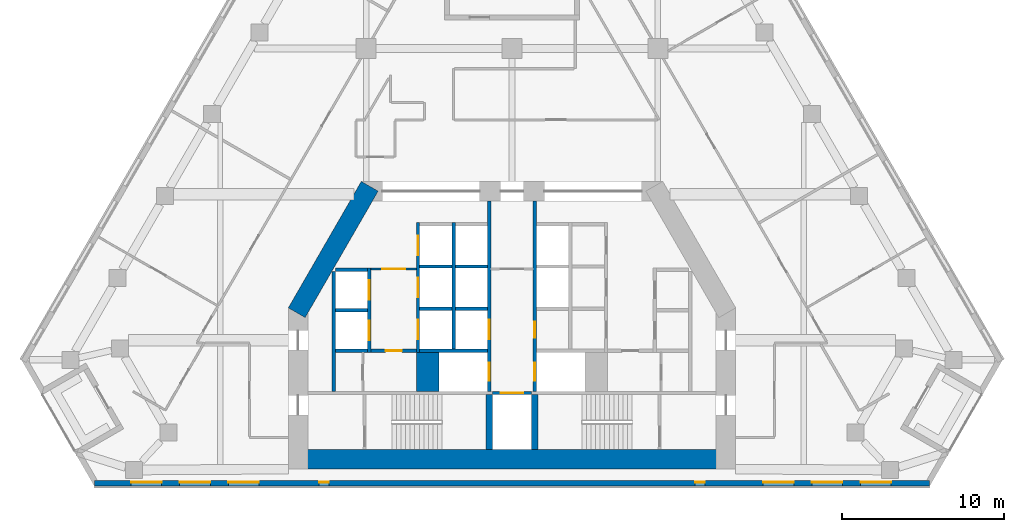
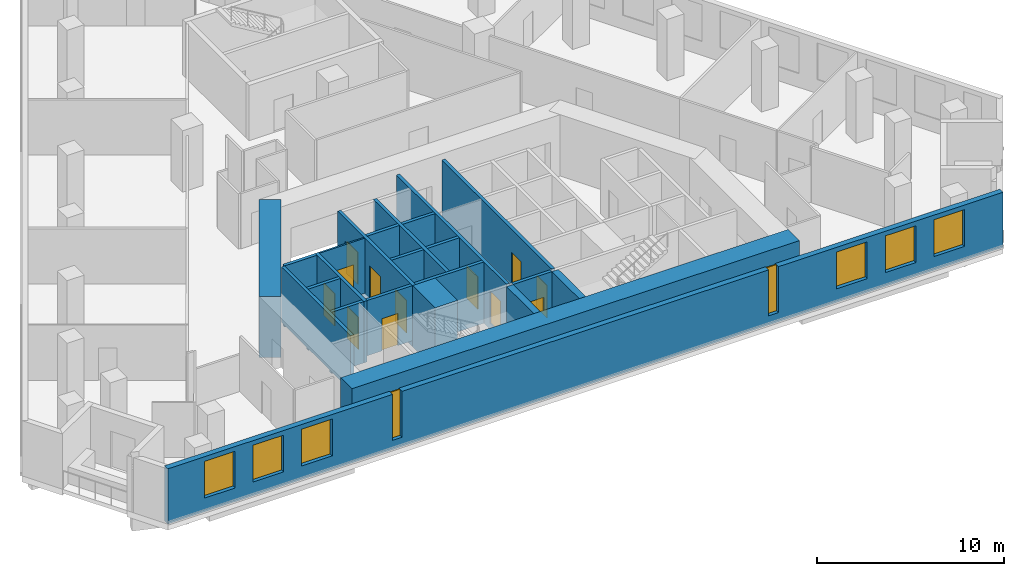
# One storey, part 4 of 10: 23 walls, 12 doors, 8 windows, 20 openings.
"""IFC4 building model written with IfcOpenShell, lengths in metres."""

from ifc_helpers import new_model, si_unit, direction, frame, frame_2d, origin, place, context, subcontext, project, spatial, rectangle, extrude, material, layer, layer_set, type_object, element, fill, save


model = new_model("IFC4")

# Units and contexts
model_context = context("Model", 3, precision=1e-05, world=origin(), true_north=direction((0.0, 1.0)))
body_context = subcontext(model_context, "Body", "Model", "MODEL_VIEW")
ifc_project = project(units=[si_unit("LENGTHUNIT", "METRE"), si_unit("AREAUNIT", "SQUARE_METRE"), si_unit("VOLUMEUNIT", "CUBIC_METRE"), si_unit("PLANEANGLEUNIT", "RADIAN"), si_unit("MASSUNIT", "GRAM", prefix="KILO")], contexts=[model_context])

# Site, building, storey
site_placement = place(None, origin())
site = spatial("IfcSite", under=ifc_project, at=site_placement, CompositionType="ELEMENT")
building_placement = place(site_placement, origin())
building = spatial("IfcBuilding", under=site, at=building_placement, Name="Fogline Exchange Tower", CompositionType="ELEMENT")
storey_placement = place(building_placement, frame((0.0, 0.0, 112.10009765625)))
storey = spatial("IfcBuildingStorey", under=building, at=storey_placement, Name="L24", CompositionType="ELEMENT", Elevation=112.10009765625)

# Wall, opening, door
ifc_material_1 = material(Name="Blockwork partition", Category="masonry")
ifc_layer_1 = layer(ifc_material_1, 0.10009765625)
ifc_layer_set_1 = layer_set([ifc_layer_1], Name="CW10")
wall_type_1 = type_object("IfcWallType", Name="CW10", PredefinedType="PARTITIONING", material=ifc_layer_set_1)
wall_1_placement = place(storey_placement, frame((-8.699951171875, 13.39990234375, 0.0), z_axis=(0.0, 0.0, 1.0), x_axis=(1.0, 0.0, 0.0)))
wall_1 = element("IfcWall", 1, at=wall_1_placement, inside=storey, type_object=wall_type_1, Name="Lift lobby partition", PredefinedType="PARTITIONING", context=body_context, shape_type="SweptSolid", body=[
    extrude(rectangle(XDim=2.800048828125, YDim=0.10009765625, at=frame_2d((1.39990234375, 0.0))), origin(), (0.0, 0.0, 1.0), 3.599853515625),
])
opening_1_placement = place(wall_1_placement, frame((0.699951171875, 0.0, 0.0)))
opening_1 = element("IfcOpeningElement", 2, at=opening_1_placement, cuts=wall_1, Name="Opening T07-C007", PredefinedType="OPENING", context=body_context, shape_type="SweptSolid", body=[
    extrude(rectangle(XDim=1.39990234375, YDim=2.10009765625, at=frame_2d((0.699951171875, 1.050048828125))), frame((0.0, 0.06005859375, 0.0), z_axis=(0.0, -1.0, 0.0), x_axis=(1.0, 0.0, 0.0)), (0.0, 0.0, 1.0), 0.1201171875),
])
ifc_material_2 = material(Name="Steel and timber fire door", Category="steel")
door_type_1 = type_object("IfcDoorType", Name="D-LB1", OperationType="DOUBLE_DOOR_SINGLE_SWING", PredefinedType="DOOR", material=ifc_material_2)
door_1_placement = place(opening_1_placement, frame((1.39990234375, 0.0, 0.0), z_axis=(0.0, 0.0, 1.0), x_axis=(-1.0, 0.0, 0.0)))
door_1 = element("IfcDoor", 3, at=door_1_placement, inside=storey, type_object=door_type_1, Name="Door to lift lobby", OperationType="DOUBLE_DOOR_SINGLE_SWING", OverallHeight=2.10009765625, OverallWidth=1.39990234375, PredefinedType="DOOR", context=body_context, shape_type="SweptSolid", body=[
    extrude(rectangle(XDim=1.39990234375, YDim=2.10009765625, at=frame_2d((0.699951171875, 1.050048828125))), frame((0.0, 0.02490234375, 0.0), z_axis=(0.0, -1.0, 0.0), x_axis=(1.0, 0.0, 0.0)), (0.0, 0.0, 1.0), 0.050048828125),
])
fill(opening_1, door_1)

# Walls
ifc_material_3 = material(Name="Concrete C60", Category="concrete")
ifc_layer_2 = layer(ifc_material_3, 1.39990234375)
ifc_layer_set_2 = layer_set([ifc_layer_2], Name="CW140")
wall_type_2 = type_object("IfcWallType", Name="CW140", PredefinedType="SOLIDWALL", material=ifc_layer_set_2)
wall_2_placement = place(storey_placement, frame((-5.199951171875, 5.85009765625, -0.400146484375), z_axis=(0.0, 0.0, 1.0), x_axis=(0.0, 1.0, 0.0)))
element("IfcWall", 4, at=wall_2_placement, inside=storey, type_object=wall_type_2, Name="Lift shaft block wall", PredefinedType="SOLIDWALL", context=body_context, shape_type="SweptSolid", body=[
    extrude(rectangle(XDim=2.39990234375, YDim=1.39990234375, at=frame_2d((1.199951171875, 0.0))), origin(), (0.0, 0.0, 1.0), 4.0),
])
ifc_material_4 = material(Name="Concrete C40", Category="concrete")
ifc_layer_3 = layer(ifc_material_4, 0.199951171875)
ifc_layer_set_3 = layer_set([ifc_layer_3], Name="CW20")
wall_type_3 = type_object("IfcWallType", Name="CW20", PredefinedType="SOLIDWALL", material=ifc_layer_set_3)
wall_3_placement = place(storey_placement, frame((-11.0, 5.85009765625, 0.0), z_axis=(0.0, 0.0, 1.0), x_axis=(0.0, 1.0, 0.0)))
element("IfcWall", 5, at=wall_3_placement, inside=storey, type_object=wall_type_3, Name="Service room wall", PredefinedType="SOLIDWALL", context=body_context, shape_type="SweptSolid", body=[
    extrude(rectangle(XDim=7.39990234375, YDim=0.199951171875, at=frame_2d((3.699951171875, 0.0))), origin(), (0.0, 0.0, 1.0), 3.599853515625),
])

# Wall, opening, door
wall_4_placement = place(storey_placement, frame((-8.699951171875, 8.35009765625, 0.0), z_axis=(0.0, 0.0, 1.0), x_axis=(1.0, 0.0, 0.0)))
wall_4 = element("IfcWall", 6, at=wall_4_placement, inside=storey, type_object=wall_type_3, Name="WC wall", PredefinedType="SOLIDWALL", context=body_context, shape_type="SweptSolid", body=[
    extrude(rectangle(XDim=2.800048828125, YDim=0.199951171875, at=frame_2d((1.39990234375, 0.0))), origin(), (0.0, 0.0, 1.0), 3.599853515625),
])
opening_2_placement = place(wall_4_placement, frame((0.89990234375, 0.0, 0.0)))
opening_2 = element("IfcOpeningElement", 7, at=opening_2_placement, cuts=wall_4, Name="Opening T07-C008", PredefinedType="OPENING", context=body_context, shape_type="SweptSolid", body=[
    extrude(rectangle(XDim=1.0, YDim=2.10009765625, at=frame_2d((0.5, 1.050048828125))), frame((0.0, 0.10986328125, 0.0), z_axis=(0.0, -1.0, 0.0), x_axis=(1.0, 0.0, 0.0)), (0.0, 0.0, 1.0), 0.219970703125),
])
door_type_2 = type_object("IfcDoorType", Name="D-WC1", OperationType="SINGLE_SWING_LEFT", PredefinedType="DOOR", material=ifc_material_2)
door_2_placement = place(opening_2_placement, frame((1.0, 0.0, 0.0), z_axis=(0.0, 0.0, 1.0), x_axis=(-1.0, 0.0, 0.0)))
door_2 = element("IfcDoor", 8, at=door_2_placement, inside=storey, type_object=door_type_2, Name="Door to Men's WC", OperationType="SINGLE_SWING_LEFT", OverallHeight=2.10009765625, OverallWidth=1.0, PredefinedType="DOOR", context=body_context, shape_type="SweptSolid", body=[
    extrude(rectangle(XDim=1.0, YDim=2.10009765625, at=frame_2d((0.5, 1.050048828125))), frame((0.0, 0.02490234375, 0.0), z_axis=(0.0, -1.0, 0.0), x_axis=(1.0, 0.0, 0.0)), (0.0, 0.0, 1.0), 0.050048828125),
])
fill(opening_2, door_2)

ifc_layer_4 = layer(ifc_material_4, 0.199951171875)
ifc_layer_set_4 = layer_set([ifc_layer_4], Name="CW20R")
wall_type_4 = type_object("IfcWallType", Name="CW20R", PredefinedType="SOLIDWALL", material=ifc_layer_set_4)
wall_5_placement = place(storey_placement, frame((-1.199951171875, 5.75, -0.400146484375), z_axis=(0.0, 0.0, 1.0), x_axis=(1.0, 0.0, 0.0)))
wall_5 = element("IfcWall", 9, at=wall_5_placement, inside=storey, type_object=wall_type_4, Name="Stair enclosure wall", PredefinedType="SOLIDWALL", context=body_context, shape_type="SweptSolid", body=[
    extrude(rectangle(XDim=2.39990234375, YDim=0.199951171875, at=frame_2d((1.199951171875, 0.0))), origin(), (0.0, 0.0, 1.0), 4.0),
])
opening_3_placement = place(wall_5_placement, frame((0.5, 0.0, 0.39990234375)))
opening_3 = element("IfcOpeningElement", 10, at=opening_3_placement, cuts=wall_5, Name="Opening T07-LD09", PredefinedType="OPENING", context=body_context, shape_type="SweptSolid", body=[
    extrude(rectangle(XDim=1.39990234375, YDim=2.10009765625, at=frame_2d((0.699951171875, 1.050048828125))), frame((0.0, 0.10986328125, 0.0), z_axis=(0.0, -1.0, 0.0), x_axis=(1.0, 0.0, 0.0)), (0.0, 0.0, 1.0), 0.219970703125),
])
door_type_3 = type_object("IfcDoorType", Name="LD3", OperationType="SLIDING_TO_LEFT", PredefinedType="DOOR", material=ifc_material_2)
door_3_placement = place(opening_3_placement, origin())
door_3 = element("IfcDoor", 11, at=door_3_placement, inside=storey, type_object=door_type_3, Name="Landing door GL1", OperationType="SLIDING_TO_LEFT", OverallHeight=2.10009765625, OverallWidth=1.39990234375, PredefinedType="DOOR", context=body_context, shape_type="SweptSolid", body=[
    extrude(rectangle(XDim=1.39990234375, YDim=2.10009765625, at=frame_2d((0.699951171875, 1.050048828125))), frame((0.0, 0.02490234375, 0.0), z_axis=(0.0, -1.0, 0.0), x_axis=(1.0, 0.0, 0.0)), (0.0, 0.0, 1.0), 0.050048828125),
])
fill(opening_3, door_3)

# Wall, openings, doors
ifc_layer_5 = layer(ifc_material_4, 0.199951171875)
ifc_layer_set_5 = layer_set([ifc_layer_5], Name="CW20S")
wall_type_5 = type_object("IfcWallType", Name="CW20S", PredefinedType="SOLIDWALL", material=ifc_layer_set_5)
wall_6_placement = place(storey_placement, frame((-8.800048828125, 8.25, -0.400146484375), z_axis=(0.0, 0.0, 1.0), x_axis=(0.0, 1.0, 0.0)))
wall_6 = element("IfcWall", 12, at=wall_6_placement, inside=storey, type_object=wall_type_5, Name="Lift shaft wall", PredefinedType="SOLIDWALL", context=body_context, shape_type="SweptSolid", body=[
    extrude(rectangle(XDim=5.199951171875, YDim=0.199951171875, at=frame_2d((2.60009765625, 0.0))), origin(), (0.0, 0.0, 1.0), 4.0),
])
opening_4_placement = place(wall_6_placement, frame((0.75, 0.0, 0.39990234375)))
opening_4 = element("IfcOpeningElement", 13, at=opening_4_placement, cuts=wall_6, Name="Opening T07-LD01", PredefinedType="OPENING", context=body_context, shape_type="SweptSolid", body=[
    extrude(rectangle(XDim=1.199951171875, YDim=2.10009765625, at=frame_2d((0.60009765625, 1.050048828125))), frame((0.0, 0.10986328125, 0.0), z_axis=(0.0, -1.0, 0.0), x_axis=(1.0, 0.0, 0.0)), (0.0, 0.0, 1.0), 0.219970703125),
])
opening_5_placement = place(wall_6_placement, frame((3.25, 0.0, 0.39990234375)))
opening_5 = element("IfcOpeningElement", 14, at=opening_5_placement, cuts=wall_6, Name="Opening T07-LD02", PredefinedType="OPENING", context=body_context, shape_type="SweptSolid", body=[
    extrude(rectangle(XDim=1.199951171875, YDim=2.10009765625, at=frame_2d((0.60009765625, 1.050048828125))), frame((0.0, 0.10986328125, 0.0), z_axis=(0.0, -1.0, 0.0), x_axis=(1.0, 0.0, 0.0)), (0.0, 0.0, 1.0), 0.219970703125),
])
door_type_4 = type_object("IfcDoorType", Name="LD1", OperationType="SLIDING_TO_LEFT", PredefinedType="DOOR", material=ifc_material_2)
door_4_placement = place(opening_4_placement, origin())
door_4 = element("IfcDoor", 15, at=door_4_placement, inside=storey, type_object=door_type_4, Name="Landing door LR1", OperationType="SLIDING_TO_LEFT", OverallHeight=2.10009765625, OverallWidth=1.199951171875, PredefinedType="DOOR", context=body_context, shape_type="SweptSolid", body=[
    extrude(rectangle(XDim=1.199951171875, YDim=2.10009765625, at=frame_2d((0.60009765625, 1.050048828125))), frame((0.0, 0.02490234375, 0.0), z_axis=(0.0, -1.0, 0.0), x_axis=(1.0, 0.0, 0.0)), (0.0, 0.0, 1.0), 0.050048828125),
])
fill(opening_4, door_4)
door_5_placement = place(opening_5_placement, origin())
door_5 = element("IfcDoor", 16, at=door_5_placement, inside=storey, type_object=door_type_4, Name="Landing door LR2", OperationType="SLIDING_TO_LEFT", OverallHeight=2.10009765625, OverallWidth=1.199951171875, PredefinedType="DOOR", context=body_context, shape_type="SweptSolid", body=[
    extrude(rectangle(XDim=1.199951171875, YDim=2.10009765625, at=frame_2d((0.60009765625, 1.050048828125))), frame((0.0, 0.02490234375, 0.0), z_axis=(0.0, -1.0, 0.0), x_axis=(1.0, 0.0, 0.0)), (0.0, 0.0, 1.0), 0.050048828125),
])
fill(opening_5, door_5)

wall_7_placement = place(storey_placement, frame((-5.800048828125, 8.25, -0.400146484375), z_axis=(0.0, 0.0, 1.0), x_axis=(0.0, 1.0, 0.0)))
wall_7 = element("IfcWall", 17, at=wall_7_placement, inside=storey, type_object=wall_type_5, Name="Lift shaft wall", PredefinedType="SOLIDWALL", context=body_context, shape_type="SweptSolid", body=[
    extrude(rectangle(XDim=8.0, YDim=0.199951171875, at=frame_2d((4.0, 0.0))), origin(), (0.0, 0.0, 1.0), 4.0),
])
opening_6_placement = place(wall_7_placement, frame((0.800048828125, 0.0, 0.39990234375)))
opening_6 = element("IfcOpeningElement", 18, at=opening_6_placement, cuts=wall_7, Name="Opening T07-LD03", PredefinedType="OPENING", context=body_context, shape_type="SweptSolid", body=[
    extrude(rectangle(XDim=1.199951171875, YDim=2.10009765625, at=frame_2d((0.60009765625, 1.050048828125))), frame((0.0, 0.10986328125, 0.0), z_axis=(0.0, -1.0, 0.0), x_axis=(1.0, 0.0, 0.0)), (0.0, 0.0, 1.0), 0.219970703125),
])
opening_7_placement = place(wall_7_placement, frame((3.39990234375, 0.0, 0.39990234375)))
opening_7 = element("IfcOpeningElement", 19, at=opening_7_placement, cuts=wall_7, Name="Opening T07-LD04", PredefinedType="OPENING", context=body_context, shape_type="SweptSolid", body=[
    extrude(rectangle(XDim=1.199951171875, YDim=2.10009765625, at=frame_2d((0.60009765625, 1.050048828125))), frame((0.0, 0.10986328125, 0.0), z_axis=(0.0, -1.0, 0.0), x_axis=(1.0, 0.0, 0.0)), (0.0, 0.0, 1.0), 0.219970703125),
])
opening_8_placement = place(wall_7_placement, frame((6.0, 0.0, 0.39990234375)))
opening_8 = element("IfcOpeningElement", 20, at=opening_8_placement, cuts=wall_7, Name="Opening T07-LD05", PredefinedType="OPENING", context=body_context, shape_type="SweptSolid", body=[
    extrude(rectangle(XDim=1.199951171875, YDim=2.10009765625, at=frame_2d((0.60009765625, 1.050048828125))), frame((0.0, 0.10986328125, 0.0), z_axis=(0.0, -1.0, 0.0), x_axis=(1.0, 0.0, 0.0)), (0.0, 0.0, 1.0), 0.219970703125),
])
door_6_placement = place(opening_6_placement, origin())
door_6 = element("IfcDoor", 21, at=door_6_placement, inside=storey, type_object=door_type_4, Name="Landing door LR3", OperationType="SLIDING_TO_LEFT", OverallHeight=2.10009765625, OverallWidth=1.199951171875, PredefinedType="DOOR", context=body_context, shape_type="SweptSolid", body=[
    extrude(rectangle(XDim=1.199951171875, YDim=2.10009765625, at=frame_2d((0.60009765625, 1.050048828125))), frame((0.0, 0.02490234375, 0.0), z_axis=(0.0, -1.0, 0.0), x_axis=(1.0, 0.0, 0.0)), (0.0, 0.0, 1.0), 0.050048828125),
])
fill(opening_6, door_6)
door_7_placement = place(opening_7_placement, origin())
door_7 = element("IfcDoor", 22, at=door_7_placement, inside=storey, type_object=door_type_4, Name="Landing door LR4", OperationType="SLIDING_TO_LEFT", OverallHeight=2.10009765625, OverallWidth=1.199951171875, PredefinedType="DOOR", context=body_context, shape_type="SweptSolid", body=[
    extrude(rectangle(XDim=1.199951171875, YDim=2.10009765625, at=frame_2d((0.60009765625, 1.050048828125))), frame((0.0, 0.02490234375, 0.0), z_axis=(0.0, -1.0, 0.0), x_axis=(1.0, 0.0, 0.0)), (0.0, 0.0, 1.0), 0.050048828125),
])
fill(opening_7, door_7)
door_8_placement = place(opening_8_placement, origin())
door_8 = element("IfcDoor", 23, at=door_8_placement, inside=storey, type_object=door_type_4, Name="Landing door LR5", OperationType="SLIDING_TO_LEFT", OverallHeight=2.10009765625, OverallWidth=1.199951171875, PredefinedType="DOOR", context=body_context, shape_type="SweptSolid", body=[
    extrude(rectangle(XDim=1.199951171875, YDim=2.10009765625, at=frame_2d((0.60009765625, 1.050048828125))), frame((0.0, 0.02490234375, 0.0), z_axis=(0.0, -1.0, 0.0), x_axis=(1.0, 0.0, 0.0)), (0.0, 0.0, 1.0), 0.050048828125),
])
fill(opening_8, door_8)

# Wall
wall_8_placement = place(storey_placement, frame((-3.60009765625, 8.449951171875, -0.400146484375), z_axis=(0.0, 0.0, 1.0), x_axis=(0.0, 1.0, 0.0)))
element("IfcWall", 24, at=wall_8_placement, inside=storey, type_object=wall_type_5, Name="Lift shaft wall", PredefinedType="SOLIDWALL", context=body_context, shape_type="SweptSolid", body=[
    extrude(rectangle(XDim=7.800048828125, YDim=0.199951171875, at=frame_2d((3.89990234375, 0.0))), origin(), (0.0, 0.0, 1.0), 4.0),
])

# Wall, openings, doors
wall_9_placement = place(storey_placement, frame((-1.39990234375, 5.85009765625, -0.400146484375), z_axis=(0.0, 0.0, 1.0), x_axis=(0.0, 1.0, 0.0)))
wall_9 = element("IfcWall", 25, at=wall_9_placement, inside=storey, type_object=wall_type_5, Name="Lift lobby wall", PredefinedType="SOLIDWALL", context=body_context, shape_type="SweptSolid", body=[
    extrude(rectangle(XDim=11.75, YDim=0.199951171875, at=frame_2d((5.875, 0.0))), origin(), (0.0, 0.0, 1.0), 4.0),
])
opening_9_placement = place(wall_9_placement, frame((3.199951171875, 0.0, 0.39990234375)))
opening_9 = element("IfcOpeningElement", 26, at=opening_9_placement, cuts=wall_9, Name="Opening T07-LD06", PredefinedType="OPENING", context=body_context, shape_type="SweptSolid", body=[
    extrude(rectangle(XDim=1.199951171875, YDim=2.10009765625, at=frame_2d((0.60009765625, 1.050048828125))), frame((0.0, 0.10986328125, 0.0), z_axis=(0.0, -1.0, 0.0), x_axis=(1.0, 0.0, 0.0)), (0.0, 0.0, 1.0), 0.219970703125),
])
opening_10_placement = place(wall_9_placement, frame((0.64990234375, 0.0, 0.39990234375)))
opening_10 = element("IfcOpeningElement", 27, at=opening_10_placement, cuts=wall_9, Name="Opening T07-LD07", PredefinedType="OPENING", context=body_context, shape_type="SweptSolid", body=[
    extrude(rectangle(XDim=1.10009765625, YDim=2.10009765625, at=frame_2d((0.550048828125, 1.050048828125))), frame((0.0, 0.10986328125, 0.0), z_axis=(0.0, -1.0, 0.0), x_axis=(1.0, 0.0, 0.0)), (0.0, 0.0, 1.0), 0.219970703125),
])
door_9_placement = place(opening_9_placement, origin())
door_9 = element("IfcDoor", 28, at=door_9_placement, inside=storey, type_object=door_type_4, Name="Landing door LR6", OperationType="SLIDING_TO_LEFT", OverallHeight=2.10009765625, OverallWidth=1.199951171875, PredefinedType="DOOR", context=body_context, shape_type="SweptSolid", body=[
    extrude(rectangle(XDim=1.199951171875, YDim=2.10009765625, at=frame_2d((0.60009765625, 1.050048828125))), frame((0.0, 0.02490234375, 0.0), z_axis=(0.0, -1.0, 0.0), x_axis=(1.0, 0.0, 0.0)), (0.0, 0.0, 1.0), 0.050048828125),
])
fill(opening_9, door_9)
door_type_5 = type_object("IfcDoorType", Name="LD2", OperationType="SLIDING_TO_RIGHT", PredefinedType="DOOR", material=ifc_material_2)
door_10_placement = place(opening_10_placement, origin())
door_10 = element("IfcDoor", 29, at=door_10_placement, inside=storey, type_object=door_type_5, Name="Landing door FF1", OperationType="SLIDING_TO_RIGHT", OverallHeight=2.10009765625, OverallWidth=1.10009765625, PredefinedType="DOOR", context=body_context, shape_type="SweptSolid", body=[
    extrude(rectangle(XDim=1.10009765625, YDim=2.10009765625, at=frame_2d((0.550048828125, 1.050048828125))), frame((0.0, 0.02490234375, 0.0), z_axis=(0.0, -1.0, 0.0), x_axis=(1.0, 0.0, 0.0)), (0.0, 0.0, 1.0), 0.050048828125),
])
fill(opening_10, door_10)

wall_10_placement = place(storey_placement, frame((1.39990234375, 5.85009765625, -0.400146484375), z_axis=(0.0, 0.0, 1.0), x_axis=(0.0, 1.0, 0.0)))
wall_10 = element("IfcWall", 30, at=wall_10_placement, inside=storey, type_object=wall_type_5, Name="Lift lobby wall", PredefinedType="SOLIDWALL", context=body_context, shape_type="SweptSolid", body=[
    extrude(rectangle(XDim=11.75, YDim=0.199951171875, at=frame_2d((5.875, 0.0))), origin(), (0.0, 0.0, 1.0), 4.0),
])
opening_11_placement = place(wall_10_placement, frame((0.64990234375, 0.0, 0.39990234375)))
opening_11 = element("IfcOpeningElement", 31, at=opening_11_placement, cuts=wall_10, Name="Opening T07-LD08", PredefinedType="OPENING", context=body_context, shape_type="SweptSolid", body=[
    extrude(rectangle(XDim=1.10009765625, YDim=2.10009765625, at=frame_2d((0.550048828125, 1.050048828125))), frame((0.0, 0.10986328125, 0.0), z_axis=(0.0, -1.0, 0.0), x_axis=(1.0, 0.0, 0.0)), (0.0, 0.0, 1.0), 0.219970703125),
])
opening_12_placement = place(wall_10_placement, frame((3.300048828125, 0.0, 0.39990234375)))
opening_12 = element("IfcOpeningElement", 32, at=opening_12_placement, cuts=wall_10, Name="Opening T07-C006", PredefinedType="OPENING", context=body_context, shape_type="SweptSolid", body=[
    extrude(rectangle(XDim=1.0, YDim=2.10009765625, at=frame_2d((0.5, 1.050048828125))), frame((0.0, 0.10986328125, 0.0), z_axis=(0.0, -1.0, 0.0), x_axis=(1.0, 0.0, 0.0)), (0.0, 0.0, 1.0), 0.219970703125),
])
door_type_6 = type_object("IfcDoorType", Name="D-RM1", OperationType="SINGLE_SWING_LEFT", PredefinedType="DOOR", material=ifc_material_2)
door_11_placement = place(opening_12_placement, frame((1.0, 0.0, 0.0), z_axis=(0.0, 0.0, 1.0), x_axis=(-1.0, 0.0, 0.0)))
door_11 = element("IfcDoor", 33, at=door_11_placement, inside=storey, type_object=door_type_6, Name="Door to Server Room", OperationType="SINGLE_SWING_RIGHT", OverallHeight=2.10009765625, OverallWidth=1.0, PredefinedType="DOOR", context=body_context, shape_type="SweptSolid", body=[
    extrude(rectangle(XDim=1.0, YDim=2.10009765625, at=frame_2d((0.5, 1.050048828125))), frame((0.0, 0.02490234375, 0.0), z_axis=(0.0, -1.0, 0.0), x_axis=(1.0, 0.0, 0.0)), (0.0, 0.0, 1.0), 0.050048828125),
])
fill(opening_12, door_11)
door_12_placement = place(opening_11_placement, origin())
door_12 = element("IfcDoor", 34, at=door_12_placement, inside=storey, type_object=door_type_5, Name="Landing door FF2", OperationType="SLIDING_TO_RIGHT", OverallHeight=2.10009765625, OverallWidth=1.10009765625, PredefinedType="DOOR", context=body_context, shape_type="SweptSolid", body=[
    extrude(rectangle(XDim=1.10009765625, YDim=2.10009765625, at=frame_2d((0.550048828125, 1.050048828125))), frame((0.0, 0.02490234375, 0.0), z_axis=(0.0, -1.0, 0.0), x_axis=(1.0, 0.0, 0.0)), (0.0, 0.0, 1.0), 0.050048828125),
])
fill(opening_11, door_12)

# Walls
wall_11_placement = place(storey_placement, frame((-10.89990234375, 8.35009765625, -0.400146484375), z_axis=(0.0, 0.0, 1.0), x_axis=(1.0, 0.0, 0.0)))
element("IfcWall", 35, at=wall_11_placement, inside=storey, type_object=wall_type_5, Name="Lift shaft wall", PredefinedType="SOLIDWALL", context=body_context, shape_type="SweptSolid", body=[
    extrude(rectangle(XDim=2.0, YDim=0.199951171875, at=frame_2d((1.0, 0.0))), origin(), (0.0, 0.0, 1.0), 4.0),
])
wall_12_placement = place(storey_placement, frame((-5.699951171875, 8.35009765625, -0.400146484375), z_axis=(0.0, 0.0, 1.0), x_axis=(1.0, 0.0, 0.0)))
element("IfcWall", 36, at=wall_12_placement, inside=storey, type_object=wall_type_5, Name="Lift shaft wall", PredefinedType="SOLIDWALL", context=body_context, shape_type="SweptSolid", body=[
    extrude(rectangle(XDim=4.199951171875, YDim=0.199951171875, at=frame_2d((2.10009765625, 0.0))), origin(), (0.0, 0.0, 1.0), 4.0),
])
for number, where, z_axis, x_axis, name in (
    (37, (-10.89990234375, 10.85009765625, -0.400146484375), (0.0, 0.0, 1.0), (1.0, 0.0, 0.0), "Lift shaft wall"),
    (38, (-10.89990234375, 13.35009765625, -0.400146484375), (0.0, 0.0, 1.0), (1.0, 0.0, 0.0), "Lift shaft wall"),
    (39, (-5.699951171875, 10.949951171875, -0.400146484375), (0.0, 0.0, 1.0), (1.0, 0.0, 0.0), "Lift shaft wall"),
    (40, (-5.699951171875, 13.550048828125, -0.400146484375), (0.0, 0.0, 1.0), (1.0, 0.0, 0.0), "Lift shaft wall"),
    (41, (-3.5, 10.949951171875, -0.400146484375), (0.0, 0.0, 1.0), (1.0, 0.0, 0.0), "Lift shaft wall"),
    (42, (-3.5, 13.550048828125, -0.400146484375), (0.0, 0.0, 1.0), (1.0, 0.0, 0.0), "Lift shaft wall"),
):
    element("IfcWall", number, at=place(storey_placement, frame(where, z_axis=z_axis, x_axis=x_axis)), inside=storey, type_object=wall_type_5, Name=name, PredefinedType="SOLIDWALL", context=body_context, shape_type="SweptSolid", body=[
        extrude(rectangle(XDim=2.0, YDim=0.199951171875, at=frame_2d((1.0, 0.0))), origin(), (0.0, 0.0, 1.0), 4.0),
    ])
ifc_layer_6 = layer(ifc_material_4, 0.39990234375)
ifc_layer_set_6 = layer_set([ifc_layer_6], Name="CW40R")
wall_type_6 = type_object("IfcWallType", Name="CW40R", PredefinedType="SOLIDWALL", material=ifc_layer_set_6)
for number, where, z_axis, x_axis, name in (
    (43, (-1.39990234375, 2.25, -0.400146484375), (0.0, 0.0, 1.0), (0.0, 1.0, 0.0), "Stair and lift shaft wall"),
    (44, (1.39990234375, 2.25, -0.400146484375), (0.0, 0.0, 1.0), (0.0, 1.0, 0.0), "Stair and lift shaft wall"),
):
    element("IfcWall", number, at=place(storey_placement, frame(where, z_axis=z_axis, x_axis=x_axis)), inside=storey, type_object=wall_type_6, Name=name, PredefinedType="SOLIDWALL", context=body_context, shape_type="SweptSolid", body=[
        extrude(rectangle(XDim=3.39990234375, YDim=0.39990234375, at=frame_2d((1.699951171875, 0.0))), origin(), (0.0, 0.0, 1.0), 4.0),
    ])

# Wall, openings, windows
ifc_material_5 = material(Name="Brick masonry", Category="masonry")
ifc_layer_7 = layer(ifc_material_5, 0.340087890625)
ifc_layer_set_7 = layer_set([ifc_layer_7], Name="FW1")
wall_type_7 = type_object("IfcWallType", Name="FW1", PredefinedType="SOLIDWALL", material=ifc_layer_set_7)
wall_13_placement = place(storey_placement, frame((-25.765625, 0.169921875, 0.0), z_axis=(0.0, 0.0, 1.0), x_axis=(1.0, 0.0, 0.0)))
wall_13 = element("IfcWall", 45, at=wall_13_placement, inside=storey, type_object=wall_type_7, Name="Brick wall L24 S", PredefinedType="SOLIDWALL", context=body_context, shape_type="SweptSolid", body=[
    extrude(rectangle(XDim=51.53125, YDim=0.340087890625, at=frame_2d((25.765625, 0.0))), origin(), (0.0, 0.0, 1.0), 3.599853515625),
])
opening_13_placement = place(wall_13_placement, frame((2.265625, 0.0, 0.89990234375)))
opening_13 = element("IfcOpeningElement", 46, at=opening_13_placement, cuts=wall_13, Name="Opening W1", PredefinedType="OPENING", context=body_context, shape_type="SweptSolid", body=[
    extrude(rectangle(XDim=1.885009765625, YDim=2.39990234375, at=frame_2d((0.9423828125, 1.199951171875))), frame((0.0, 0.18017578125, 0.0), z_axis=(0.0, -1.0, 0.0), x_axis=(1.0, 0.0, 0.0)), (0.0, 0.0, 1.0), 0.360107421875),
])
opening_14_placement = place(wall_13_placement, frame((5.265625, 0.0, 0.89990234375)))
opening_14 = element("IfcOpeningElement", 47, at=opening_14_placement, cuts=wall_13, Name="Opening W1", PredefinedType="OPENING", context=body_context, shape_type="SweptSolid", body=[
    extrude(rectangle(XDim=1.885009765625, YDim=2.39990234375, at=frame_2d((0.9423828125, 1.199951171875))), frame((0.0, 0.18017578125, 0.0), z_axis=(0.0, -1.0, 0.0), x_axis=(1.0, 0.0, 0.0)), (0.0, 0.0, 1.0), 0.360107421875),
])
opening_15_placement = place(wall_13_placement, frame((8.265625, 0.0, 0.89990234375)))
opening_15 = element("IfcOpeningElement", 48, at=opening_15_placement, cuts=wall_13, Name="Opening W1", PredefinedType="OPENING", context=body_context, shape_type="SweptSolid", body=[
    extrude(rectangle(XDim=1.885009765625, YDim=2.39990234375, at=frame_2d((0.9423828125, 1.199951171875))), frame((0.0, 0.18017578125, 0.0), z_axis=(0.0, -1.0, 0.0), x_axis=(1.0, 0.0, 0.0)), (0.0, 0.0, 1.0), 0.360107421875),
])
opening_16_placement = place(wall_13_placement, frame((41.265625, 0.0, 0.89990234375)))
opening_16 = element("IfcOpeningElement", 49, at=opening_16_placement, cuts=wall_13, Name="Opening W1", PredefinedType="OPENING", context=body_context, shape_type="SweptSolid", body=[
    extrude(rectangle(XDim=1.885009765625, YDim=2.39990234375, at=frame_2d((0.9423828125, 1.199951171875))), frame((0.0, 0.18017578125, 0.0), z_axis=(0.0, -1.0, 0.0), x_axis=(1.0, 0.0, 0.0)), (0.0, 0.0, 1.0), 0.360107421875),
])
opening_17_placement = place(wall_13_placement, frame((44.265625, 0.0, 0.89990234375)))
opening_17 = element("IfcOpeningElement", 50, at=opening_17_placement, cuts=wall_13, Name="Opening W1", PredefinedType="OPENING", context=body_context, shape_type="SweptSolid", body=[
    extrude(rectangle(XDim=1.885009765625, YDim=2.39990234375, at=frame_2d((0.9423828125, 1.199951171875))), frame((0.0, 0.18017578125, 0.0), z_axis=(0.0, -1.0, 0.0), x_axis=(1.0, 0.0, 0.0)), (0.0, 0.0, 1.0), 0.360107421875),
])
opening_18_placement = place(wall_13_placement, frame((47.265625, 0.0, 0.89990234375)))
opening_18 = element("IfcOpeningElement", 51, at=opening_18_placement, cuts=wall_13, Name="Opening W1", PredefinedType="OPENING", context=body_context, shape_type="SweptSolid", body=[
    extrude(rectangle(XDim=1.885009765625, YDim=2.39990234375, at=frame_2d((0.9423828125, 1.199951171875))), frame((0.0, 0.18017578125, 0.0), z_axis=(0.0, -1.0, 0.0), x_axis=(1.0, 0.0, 0.0)), (0.0, 0.0, 1.0), 0.360107421875),
])
opening_19_placement = place(wall_13_placement, frame((13.86572265625, 0.0, 0.60009765625)))
opening_19 = element("IfcOpeningElement", 52, at=opening_19_placement, cuts=wall_13, Name="Opening W5", PredefinedType="OPENING", context=body_context, shape_type="SweptSolid", body=[
    extrude(rectangle(XDim=0.60009765625, YDim=3.0, at=frame_2d((0.300048828125, 1.5))), frame((0.0, 0.18017578125, 0.0), z_axis=(0.0, -1.0, 0.0), x_axis=(1.0, 0.0, 0.0)), (0.0, 0.0, 1.0), 0.360107421875),
])
opening_20_placement = place(wall_13_placement, frame((37.065673828125, 0.0, 0.60009765625)))
opening_20 = element("IfcOpeningElement", 53, at=opening_20_placement, cuts=wall_13, Name="Opening W5", PredefinedType="OPENING", context=body_context, shape_type="SweptSolid", body=[
    extrude(rectangle(XDim=0.60009765625, YDim=3.0, at=frame_2d((0.300048828125, 1.5))), frame((0.0, 0.18017578125, 0.0), z_axis=(0.0, -1.0, 0.0), x_axis=(1.0, 0.0, 0.0)), (0.0, 0.0, 1.0), 0.360107421875),
])
ifc_material_6 = material(Name="Aluminium and glass", Category="aluminium")
window_type_1 = type_object("IfcWindowType", Name="W1", PartitioningType="SINGLE_PANEL", PredefinedType="WINDOW", material=ifc_material_6)
window_1_placement = place(opening_13_placement, origin())
window_1 = element("IfcWindow", 54, at=window_1_placement, inside=storey, type_object=window_type_1, Name="W1 W1", OverallHeight=2.39990234375, OverallWidth=1.885009765625, PartitioningType="SINGLE_PANEL", PredefinedType="WINDOW", context=body_context, shape_type="SweptSolid", body=[
    extrude(rectangle(XDim=1.885009765625, YDim=2.39990234375, at=frame_2d((0.9423828125, 1.199951171875))), frame((0.0, 0.110107421875, 0.0), z_axis=(0.0, -1.0, 0.0), x_axis=(1.0, 0.0, 0.0)), (0.0, 0.0, 1.0), 0.06005859375),
])
fill(opening_13, window_1)
window_2_placement = place(opening_14_placement, origin())
window_2 = element("IfcWindow", 55, at=window_2_placement, inside=storey, type_object=window_type_1, Name="W1 W1", OverallHeight=2.39990234375, OverallWidth=1.885009765625, PartitioningType="SINGLE_PANEL", PredefinedType="WINDOW", context=body_context, shape_type="SweptSolid", body=[
    extrude(rectangle(XDim=1.885009765625, YDim=2.39990234375, at=frame_2d((0.9423828125, 1.199951171875))), frame((0.0, 0.110107421875, 0.0), z_axis=(0.0, -1.0, 0.0), x_axis=(1.0, 0.0, 0.0)), (0.0, 0.0, 1.0), 0.06005859375),
])
fill(opening_14, window_2)
window_3_placement = place(opening_15_placement, origin())
window_3 = element("IfcWindow", 56, at=window_3_placement, inside=storey, type_object=window_type_1, Name="W1 W1", OverallHeight=2.39990234375, OverallWidth=1.885009765625, PartitioningType="SINGLE_PANEL", PredefinedType="WINDOW", context=body_context, shape_type="SweptSolid", body=[
    extrude(rectangle(XDim=1.885009765625, YDim=2.39990234375, at=frame_2d((0.9423828125, 1.199951171875))), frame((0.0, 0.110107421875, 0.0), z_axis=(0.0, -1.0, 0.0), x_axis=(1.0, 0.0, 0.0)), (0.0, 0.0, 1.0), 0.06005859375),
])
fill(opening_15, window_3)
window_4_placement = place(opening_16_placement, origin())
window_4 = element("IfcWindow", 57, at=window_4_placement, inside=storey, type_object=window_type_1, Name="W1 W1", OverallHeight=2.39990234375, OverallWidth=1.885009765625, PartitioningType="SINGLE_PANEL", PredefinedType="WINDOW", context=body_context, shape_type="SweptSolid", body=[
    extrude(rectangle(XDim=1.885009765625, YDim=2.39990234375, at=frame_2d((0.9423828125, 1.199951171875))), frame((0.0, 0.110107421875, 0.0), z_axis=(0.0, -1.0, 0.0), x_axis=(1.0, 0.0, 0.0)), (0.0, 0.0, 1.0), 0.06005859375),
])
fill(opening_16, window_4)
window_5_placement = place(opening_17_placement, origin())
window_5 = element("IfcWindow", 58, at=window_5_placement, inside=storey, type_object=window_type_1, Name="W1 W1", OverallHeight=2.39990234375, OverallWidth=1.885009765625, PartitioningType="SINGLE_PANEL", PredefinedType="WINDOW", context=body_context, shape_type="SweptSolid", body=[
    extrude(rectangle(XDim=1.885009765625, YDim=2.39990234375, at=frame_2d((0.9423828125, 1.199951171875))), frame((0.0, 0.110107421875, 0.0), z_axis=(0.0, -1.0, 0.0), x_axis=(1.0, 0.0, 0.0)), (0.0, 0.0, 1.0), 0.06005859375),
])
fill(opening_17, window_5)
window_6_placement = place(opening_18_placement, origin())
window_6 = element("IfcWindow", 59, at=window_6_placement, inside=storey, type_object=window_type_1, Name="W1 W1", OverallHeight=2.39990234375, OverallWidth=1.885009765625, PartitioningType="SINGLE_PANEL", PredefinedType="WINDOW", context=body_context, shape_type="SweptSolid", body=[
    extrude(rectangle(XDim=1.885009765625, YDim=2.39990234375, at=frame_2d((0.9423828125, 1.199951171875))), frame((0.0, 0.110107421875, 0.0), z_axis=(0.0, -1.0, 0.0), x_axis=(1.0, 0.0, 0.0)), (0.0, 0.0, 1.0), 0.06005859375),
])
fill(opening_18, window_6)
window_type_2 = type_object("IfcWindowType", Name="W5", PartitioningType="SINGLE_PANEL", PredefinedType="WINDOW", material=ifc_material_6)
window_7_placement = place(opening_19_placement, origin())
window_7 = element("IfcWindow", 60, at=window_7_placement, inside=storey, type_object=window_type_2, Name="W5 W5", OverallHeight=3.0, OverallWidth=0.60009765625, PartitioningType="SINGLE_PANEL", PredefinedType="WINDOW", context=body_context, shape_type="SweptSolid", body=[
    extrude(rectangle(XDim=0.60009765625, YDim=3.0, at=frame_2d((0.300048828125, 1.5))), frame((0.0, 0.110107421875, 0.0), z_axis=(0.0, -1.0, 0.0), x_axis=(1.0, 0.0, 0.0)), (0.0, 0.0, 1.0), 0.06005859375),
])
fill(opening_19, window_7)
window_8_placement = place(opening_20_placement, origin())
window_8 = element("IfcWindow", 61, at=window_8_placement, inside=storey, type_object=window_type_2, Name="W5 W5", OverallHeight=3.0, OverallWidth=0.60009765625, PartitioningType="SINGLE_PANEL", PredefinedType="WINDOW", context=body_context, shape_type="SweptSolid", body=[
    extrude(rectangle(XDim=0.60009765625, YDim=3.0, at=frame_2d((0.300048828125, 1.5))), frame((0.0, 0.110107421875, 0.0), z_axis=(0.0, -1.0, 0.0), x_axis=(1.0, 0.0, 0.0)), (0.0, 0.0, 1.0), 0.06005859375),
])
fill(opening_20, window_8)

# Walls
ifc_layer_8 = layer(ifc_material_3, 1.199951171875)
ifc_layer_set_8 = layer_set([ifc_layer_8], Name="SW02")
wall_type_8 = type_object("IfcWallType", Name="SW02", PredefinedType="SHEAR", material=ifc_layer_set_8)
wall_14_placement = place(storey_placement, frame((-13.800048828125, 1.64990234375, 0.0), z_axis=(0.0, 0.0, 1.0), x_axis=(1.0, 0.0, 0.0)))
element("IfcWall", 62, at=wall_14_placement, inside=storey, type_object=wall_type_8, Name="L24-W901", PredefinedType="SHEAR", context=body_context, shape_type="SweptSolid", body=[
    extrude(rectangle(XDim=27.60009765625, YDim=1.199951171875, at=frame_2d((13.800048828125, 0.0))), origin(), (0.0, 0.0, 1.0), 4.0),
])
wall_15_placement = place(storey_placement, frame((-8.776611328125, 18.5, 0.0), z_axis=(0.0, 0.0, 1.0), x_axis=(-0.499998513025, -0.866026262288, 0.0)))
element("IfcWall", 63, at=wall_15_placement, inside=storey, type_object=wall_type_8, Name="L24-W905", PredefinedType="SHEAR", context=body_context, shape_type="SweptSolid", body=[
    extrude(rectangle(XDim=9.0078125, YDim=1.199951171875, at=frame_2d((4.50390625, 0.0))), origin(), (0.0, 0.0, 1.0), 4.0),
])

save(model, "model.ifc")
